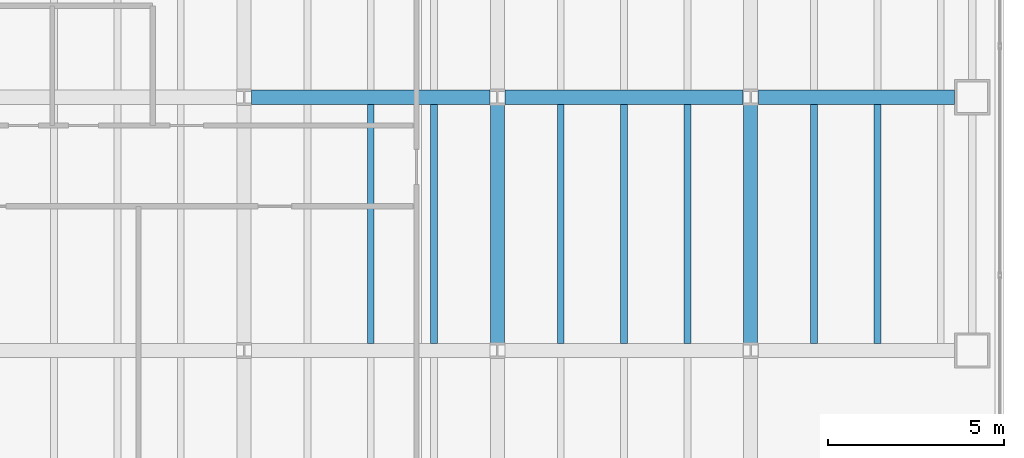
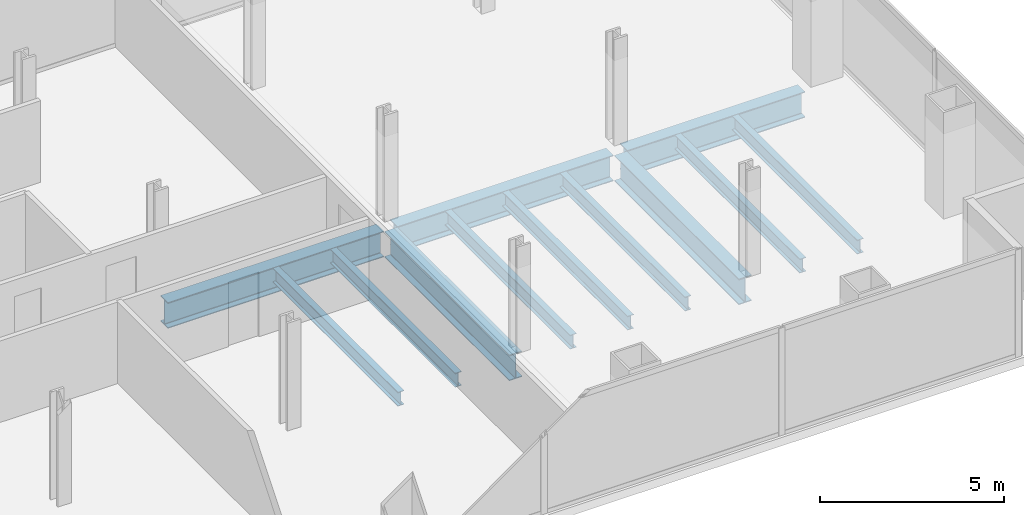
# One storey, part 9 of 25: 12 beams.
"""IFC4 building model written with IfcOpenShell, lengths in metres."""

from ifc_helpers import new_model, si_unit, direction, frame, origin, origin_2d, place, context, subcontext, project, spatial, i_section, extrude, material, material_profile, profile_set, type_object, element, save


model = new_model("IFC4")

# Units and contexts
model_context = context("Model", 3, precision=1e-05, world=origin(), true_north=direction((0.0, 1.0)))
body_context = subcontext(model_context, "Body", "Model", "MODEL_VIEW")
ifc_project = project(units=[si_unit("LENGTHUNIT", "METRE"), si_unit("AREAUNIT", "SQUARE_METRE"), si_unit("VOLUMEUNIT", "CUBIC_METRE"), si_unit("PLANEANGLEUNIT", "RADIAN"), si_unit("MASSUNIT", "GRAM", prefix="KILO")], contexts=[model_context])

# Site, building, storey
site_placement = place(None, origin())
site = spatial("IfcSite", under=ifc_project, at=site_placement, CompositionType="ELEMENT")
building_placement = place(site_placement, origin())
building = spatial("IfcBuilding", under=site, at=building_placement, Name="Cobrela Telecom Tower", CompositionType="ELEMENT")
storey_placement = place(building_placement, frame((0.0, 0.0, 61.949951171875)))
storey = spatial("IfcBuildingStorey", under=building, at=storey_placement, Name="L15", CompositionType="ELEMENT", Elevation=61.949951171875)

# Beams
ifc_material = material(Name="Steel ASTM A992 Grade 50", Category="steel")
ifc_material_profile_1 = material_profile(ifc_material, i_section(OverallWidth=0.39892578125, OverallDepth=0.85595703125, WebThickness=0.018310546875, FlangeThickness=0.029296875, FilletRadius=0.02001953125, at=origin_2d()), Name="W33X201")
ifc_profile_set_1 = profile_set([ifc_material_profile_1], Name="Steel ASTM A992 Grade 50")
beam_type_1 = type_object("IfcBeamType", Name="BM-GIRD-03", PredefinedType="USERDEFINED", material=ifc_profile_set_1)
for number, where, z_axis, x_axis, name in (
    (1, (29.01611328125, 14.39990234375, -0.7080078125), (1.0, 0.0, 0.0), (0.0, 1.0, 0.0), "L15 Primary Girder X15"),
    (2, (36.216064453125, 14.39990234375, -0.7080078125), (1.0, 0.0, 0.0), (0.0, 1.0, 0.0), "L15 Primary Girder X16"),
):
    element("IfcBeam", number, at=place(storey_placement, frame(where, z_axis=z_axis, x_axis=x_axis)), inside=storey, type_object=beam_type_1, Name=name, ObjectType="GIRDER", PredefinedType="USERDEFINED", context=body_context, shape_type="SweptSolid", body=[
        extrude(i_section(OverallWidth=0.39892578125, OverallDepth=0.85595703125, WebThickness=0.018310546875, FlangeThickness=0.029296875, FilletRadius=0.02001953125, at=origin_2d()), origin(), (0.0, 0.0, 1.0), 6.767822265625),
    ])
beam_placement = place(storey_placement, frame((43.416015625, 14.39990234375, -0.7080078125), z_axis=(1.0, 0.0, 0.0), x_axis=(0.0, 1.0, 0.0)))
element("IfcBeam", 3, at=beam_placement, inside=storey, type_object=beam_type_1, Name="L15 Primary Girder X17", ObjectType="GIRDER", PredefinedType="USERDEFINED", context=body_context, shape_type="SweptSolid", body=[
    extrude(i_section(OverallWidth=0.39892578125, OverallDepth=0.85595703125, WebThickness=0.018310546875, FlangeThickness=0.029296875, FilletRadius=0.02001953125, at=origin_2d()), origin(), (0.0, 0.0, 1.0), 5.5791015625),
])
for number, where, z_axis, x_axis, name in (
    (4, (36.0, 7.416015625, -0.7080078125), (0.0, 1.0, 0.0), (-1.0, 0.0, 0.0), "L15 Primary Girder Y51"),
    (5, (43.199951171875, 7.416015625, -0.7080078125), (0.0, 1.0, 0.0), (-1.0, 0.0, 0.0), "L15 Primary Girder Y54"),
):
    element("IfcBeam", number, at=place(storey_placement, frame(where, z_axis=z_axis, x_axis=x_axis)), inside=storey, type_object=beam_type_1, Name=name, ObjectType="GIRDER", PredefinedType="USERDEFINED", context=body_context, shape_type="SweptSolid", body=[
        extrude(i_section(OverallWidth=0.39892578125, OverallDepth=0.85595703125, WebThickness=0.018310546875, FlangeThickness=0.029296875, FilletRadius=0.02001953125, at=origin_2d()), origin(), (0.0, 0.0, 1.0), 6.76806640625),
    ])
ifc_material_profile_2 = material_profile(ifc_material, i_section(OverallWidth=0.193115234375, OverallDepth=0.467041015625, WebThickness=0.011474609375, FlangeThickness=0.01904296875, FilletRadius=0.012939453125, at=origin_2d()), Name="W18X65")
ifc_profile_set_2 = profile_set([ifc_material_profile_2], Name="Steel ASTM A992 Grade 50")
beam_type_2 = type_object("IfcBeamType", Name="BM-JOIST-03", PredefinedType="JOIST", material=ifc_profile_set_2)
for number, where, z_axis, x_axis, name in (
    (6, (32.39990234375, 7.404541015625, -0.513427734375), (0.0, 1.0, 0.0), (-1.0, 0.0, 0.0), "L15 Secondary Composite Floor Beam J45"),
    (7, (34.199951171875, 7.404541015625, -0.513427734375), (0.0, 1.0, 0.0), (-1.0, 0.0, 0.0), "L15 Secondary Composite Floor Beam J48"),
    (8, (37.800048828125, 7.404541015625, -0.513427734375), (0.0, 1.0, 0.0), (-1.0, 0.0, 0.0), "L15 Secondary Composite Floor Beam J51"),
    (9, (39.60009765625, 7.404541015625, -0.513427734375), (0.0, 1.0, 0.0), (-1.0, 0.0, 0.0), "L15 Secondary Composite Floor Beam J54"),
    (10, (41.39990234375, 7.404541015625, -0.513427734375), (0.0, 1.0, 0.0), (-1.0, 0.0, 0.0), "L15 Secondary Composite Floor Beam J57"),
    (11, (45.0, 7.404541015625, -0.513427734375), (0.0, 1.0, 0.0), (-1.0, 0.0, 0.0), "L15 Secondary Composite Floor Beam J59"),
    (12, (46.800048828125, 7.404541015625, -0.513427734375), (0.0, 1.0, 0.0), (-1.0, 0.0, 0.0), "L15 Secondary Composite Floor Beam J61"),
):
    element("IfcBeam", number, at=place(storey_placement, frame(where, z_axis=z_axis, x_axis=x_axis)), inside=storey, type_object=beam_type_2, Name=name, PredefinedType="JOIST", context=body_context, shape_type="SweptSolid", body=[
        extrude(i_section(OverallWidth=0.193115234375, OverallDepth=0.467041015625, WebThickness=0.011474609375, FlangeThickness=0.01904296875, FilletRadius=0.012939453125, at=origin_2d()), origin(), (0.0, 0.0, 1.0), 6.791015625),
    ])

save(model, "model.ifc")
